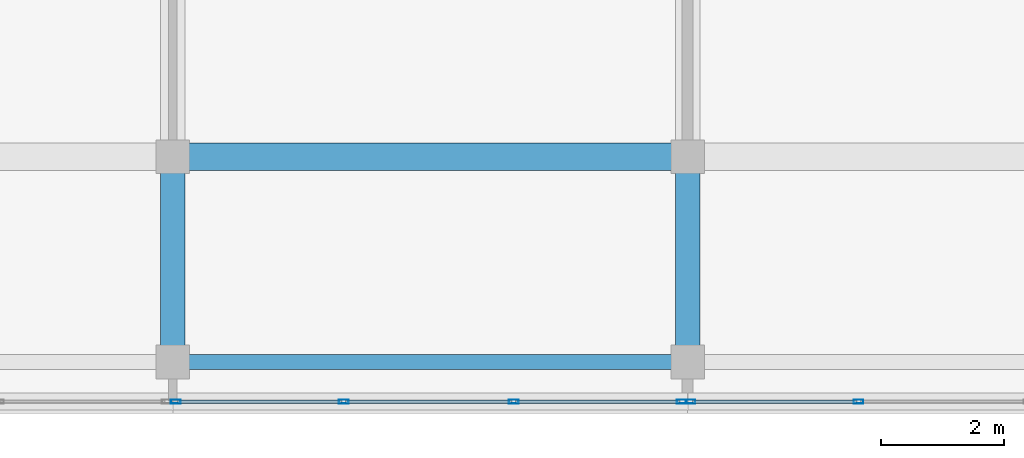
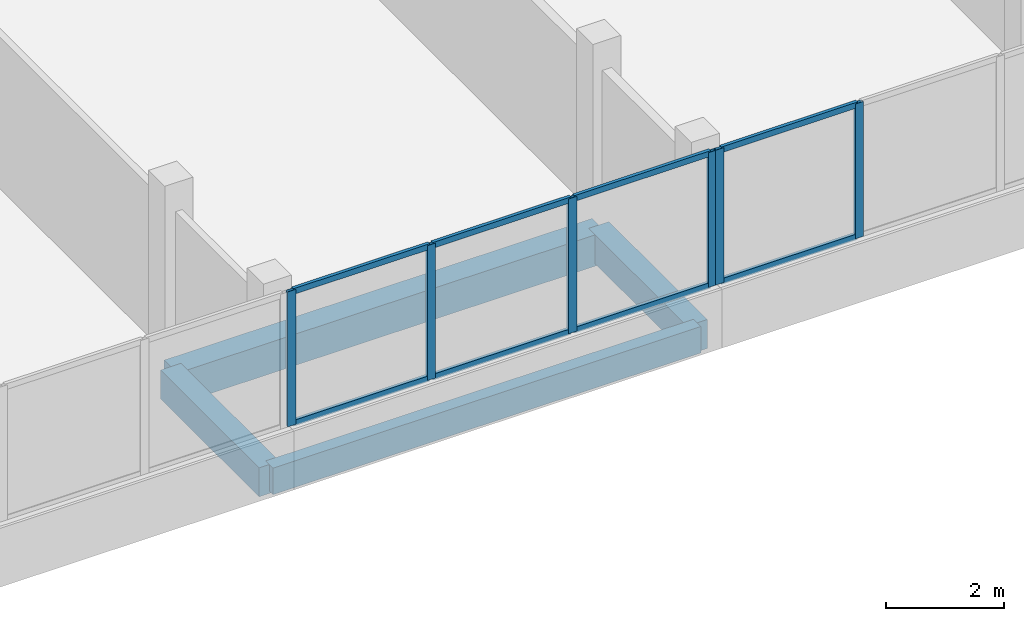
# One storey, part 31 of 67: 14 members, 4 beams, 2 elements without a shape of their own.
"""IFC4 building model written with IfcOpenShell, lengths in metres."""

import ifcopenshell
import ifcopenshell.guid

model = None  # the IFC model being written
_history = None  # IfcOwnerHistory: only IFC2X3 demands one
_inside = {}  # id of a spatial element -> (the spatial element, [elements in it])
_under = {}  # id of a project, library or spatial element -> (it, [spatial elements below it])
_declared = {}  # id of a project -> (the project, [libraries it declares])
_typed = {}  # id of a type object -> (the type object, [elements of that type])
_made_of = {}  # id of a material, layer set ... -> (it, [elements and type objects made of it])


def new_model(schema):
    """Start an empty IFC model of exactly this schema.

    Asked for "IFC4X3", IfcOpenShell would pick the latest addendum, in which some entities
    have other attributes; the version numbers below select the first issue.
    IFC2X3 requires an IfcOwnerHistory on every rooted entity: one is made here for all.
    """
    global model, _history
    if schema == "IFC4X3":
        model = ifcopenshell.file(schema_version=(4, 3, 0, 0))
    else:
        model = ifcopenshell.file(schema=schema)
    _inside.clear()
    _under.clear()
    _declared.clear()
    _typed.clear()
    _made_of.clear()
    _history = None
    if model.schema == "IFC2X3":
        org = make("IfcOrganization", Name="unknown")
        user = make(
            "IfcPersonAndOrganization",
            ThePerson=make("IfcPerson", FamilyName="unknown"),
            TheOrganization=org,
        )
        app = make(
            "IfcApplication",
            ApplicationDeveloper=org,
            Version="unknown",
            ApplicationFullName="unknown",
            ApplicationIdentifier="unknown",
        )
        _history = make(
            "IfcOwnerHistory",
            OwningUser=user,
            OwningApplication=app,
            ChangeAction="ADDED",
            CreationDate=0,
        )
    return model


def make(cls, **values):
    """One entity of the class cls with the attributes given. An attribute that is None is left unset."""
    return model.create_entity(
        cls, **{name: value for name, value in values.items() if value is not None}
    )


def rooted(cls, **values):
    """An entity with a GlobalId (a new one), such as an element, a storey or a relation."""
    return make(cls, GlobalId=ifcopenshell.guid.new(), OwnerHistory=_history, **values)


def si_unit(unit_type, name, prefix=None):
    """IfcSIUnit, for example si_unit("LENGTHUNIT", "METRE", prefix="MILLI")."""
    return make("IfcSIUnit", UnitType=unit_type, Prefix=prefix, Name=name)


def assignment(units):
    """IfcUnitAssignment: the units of a project."""
    return None if units is None else make("IfcUnitAssignment", Units=units)


def point(xyz):
    """IfcCartesianPoint."""
    return None if xyz is None else make("IfcCartesianPoint", Coordinates=xyz)


def direction(xyz):
    """IfcDirection."""
    return None if xyz is None else make("IfcDirection", DirectionRatios=xyz)


def frame(location, z_axis=None, x_axis=None):
    """IfcAxis2Placement3D, a coordinate frame: its origin and axes. An axis left out is left unset."""
    return make(
        "IfcAxis2Placement3D",
        Location=point(location),
        Axis=direction(z_axis),
        RefDirection=direction(x_axis),
    )


def frame_2d(location, x_axis=None):
    """IfcAxis2Placement2D, a coordinate frame in the plane: its origin and x axis."""
    return make(
        "IfcAxis2Placement2D", Location=point(location), RefDirection=direction(x_axis)
    )


def origin():
    """The frame at (0, 0, 0) with its axes left unset."""
    return frame((0.0, 0.0, 0.0))


def origin_2d():
    """The frame at (0, 0) in the plane with its x axis left unset."""
    return frame_2d((0.0, 0.0))


def place(relative_to, where):
    """IfcLocalPlacement: puts the frame where relative to a parent placement (None: the world)."""
    return make(
        "IfcLocalPlacement", PlacementRelTo=relative_to, RelativePlacement=where
    )


def context(
    kind, dimensions, precision=None, world=None, true_north=None, identifier=None
):
    """IfcGeometricRepresentationContext, for example the 3D "Model" context."""
    return make(
        "IfcGeometricRepresentationContext",
        ContextIdentifier=identifier,
        ContextType=kind,
        CoordinateSpaceDimension=dimensions,
        Precision=precision,
        WorldCoordinateSystem=world,
        TrueNorth=true_north,
    )


def subcontext(parent, identifier, kind, view, scale=None):
    """IfcGeometricRepresentationSubContext, for example "Body" below "Model"."""
    return make(
        "IfcGeometricRepresentationSubContext",
        ContextIdentifier=identifier,
        ContextType=kind,
        ParentContext=parent,
        TargetScale=scale,
        TargetView=view,
    )


def project(units=None, contexts=None):
    """IfcProject with its units and contexts."""
    return rooted(
        "IfcProject",
        Name="project",
        RepresentationContexts=contexts,
        UnitsInContext=assignment(units),
    )


def spatial(cls, under=None, at=None, **own):
    """A site, building, storey or space (cls), placed at a placement, below another one or the project."""
    s = rooted(cls, ObjectPlacement=at, **own)
    if under is not None:
        _under.setdefault(under.id(), (under, []))[1].append(s)
    return s


def profile(cls, at=None, kind="AREA", **sizes):
    """A parametric profile (cls). Its sizes go by their IFC names, for example OverallWidth=200.0."""
    return make(cls, ProfileType=kind, Position=at, **sizes)


def rectangle(**sizes):
    """IfcRectangleProfileDef."""
    return profile("IfcRectangleProfileDef", **sizes)


def hollow_rectangle(**sizes):
    """IfcRectangleHollowProfileDef."""
    return profile("IfcRectangleHollowProfileDef", **sizes)


def extrude(swept, where, along, depth):
    """IfcExtrudedAreaSolid: the profile swept, set in the frame where, extruded along a direction by depth."""
    return make(
        "IfcExtrudedAreaSolid",
        SweptArea=swept,
        Position=where,
        ExtrudedDirection=direction(along),
        Depth=depth,
    )


def shape(context_of_items, identifier, shape_type, items):
    """IfcShapeRepresentation: the items that make up one representation, for example the "Body"."""
    return make(
        "IfcShapeRepresentation",
        ContextOfItems=context_of_items,
        RepresentationIdentifier=identifier,
        RepresentationType=shape_type,
        Items=items,
    )


def material(Name=None, Category=None):
    """IfcMaterial."""
    return make("IfcMaterial", Name=Name, Category=Category)


def material_profile(
    of_material, cross_section, Name=None, Category=None, Priority=None
):
    """IfcMaterialProfile: a cross section and its material."""
    return make(
        "IfcMaterialProfile",
        Name=Name,
        Material=of_material,
        Profile=cross_section,
        Priority=Priority,
        Category=Category,
    )


def profile_set(profiles, Name=None, composite=None):
    """IfcMaterialProfileSet."""
    return make(
        "IfcMaterialProfileSet",
        Name=Name,
        MaterialProfiles=profiles,
        CompositeProfile=composite,
    )


def made_of(thing, what):
    """Note that an element or type object is made of a material, layer set ...; save() writes the relation."""
    if what is not None:
        _made_of.setdefault(what.id(), (what, []))[1].append(thing)
    return thing


def type_object(cls, material=None, **own):
    """A type object (cls), such as IfcWallType, which elements share."""
    return made_of(rooted(cls, **own), material)


def element(
    cls,
    number,
    at=None,
    inside=None,
    cuts=None,
    type_object=None,
    material=None,
    context=None,
    identifier="Body",
    shape_type=None,
    held_by="IfcProductDefinitionShape",
    body=None,
    shapes=None,
    **own,
):
    """One element of the class cls, such as IfcWall. Its Tag is "e" and its number.

    at: its placement. inside: the storey or other place that contains it. cuts: it is an
    opening in that element (IfcRelVoidsElement). A single representation is given by context,
    identifier, shape_type and body (its items); several are given by shapes. held_by: the class
    of the entity that holds the representations. save() writes the other relations.
    """
    e = rooted(cls, Tag="e%d" % number, ObjectPlacement=at, **own)
    if body is not None:
        shapes = [shape(context, identifier, shape_type, body)]
    if shapes is not None:
        e.Representation = make(held_by, Representations=shapes)
    if inside is not None:
        _inside.setdefault(inside.id(), (inside, []))[1].append(e)
    if cuts is not None:
        rooted(
            "IfcRelVoidsElement", RelatingBuildingElement=cuts, RelatedOpeningElement=e
        )
    if type_object is not None:
        _typed.setdefault(type_object.id(), (type_object, []))[1].append(e)
    return made_of(e, material)


def aggregate(whole, parts):
    """IfcRelAggregates: a whole, such as a stair, and the parts it consists of."""
    return rooted("IfcRelAggregates", RelatingObject=whole, RelatedObjects=parts)


def save(model, path):
    """Write the relations noted so far, then the file.

    IfcRelAggregates (storeys below a building ...), IfcRelContainedInSpatialStructure (elements
    in a storey), IfcRelDefinesByType, IfcRelAssociatesMaterial and IfcRelDeclares: one each for
    every whole, place, type object, material and project.
    """
    for whole, parts in _under.values():
        aggregate(whole, parts)
    for where, things in _inside.values():
        rooted(
            "IfcRelContainedInSpatialStructure",
            RelatedElements=things,
            RelatingStructure=where,
        )
    for kind, things in _typed.values():
        rooted("IfcRelDefinesByType", RelatedObjects=things, RelatingType=kind)
    for what, things in _made_of.values():
        rooted("IfcRelAssociatesMaterial", RelatedObjects=things, RelatingMaterial=what)
    for by, libraries in _declared.values():
        rooted("IfcRelDeclares", RelatingContext=by, RelatedDefinitions=libraries)
    model.write(path)


model = new_model("IFC4")

# Units and contexts
model_context = context("Model", 3, precision=1e-05, world=origin(), true_north=direction((0.0, 1.0)))
body_context = subcontext(model_context, "Body", "Model", "MODEL_VIEW")
ifc_project = project(units=[si_unit("LENGTHUNIT", "METRE"), si_unit("AREAUNIT", "SQUARE_METRE"), si_unit("VOLUMEUNIT", "CUBIC_METRE"), si_unit("PLANEANGLEUNIT", "RADIAN"), si_unit("MASSUNIT", "GRAM", prefix="KILO")], contexts=[model_context])

# Site, building, storey
site_placement = place(None, origin())
site = spatial("IfcSite", under=ifc_project, at=site_placement, CompositionType="ELEMENT")
building_placement = place(site_placement, origin())
building = spatial("IfcBuilding", under=site, at=building_placement, Name="Selatvlak General Hospital", CompositionType="ELEMENT")
storey_placement = place(building_placement, frame((0.0, 0.0, 35.39990234375)))
storey = spatial("IfcBuildingStorey", under=building, at=storey_placement, Name="L08", CompositionType="ELEMENT", Elevation=35.39990234375)

# Beams
ifc_material_1 = material(Name="Concrete C40/50", Category="concrete")
ifc_material_profile_1 = material_profile(ifc_material_1, rectangle(XDim=0.449951171875, YDim=0.64990234375, at=origin_2d()), Name="RC-BM 450x650")
ifc_profile_set_1 = profile_set([ifc_material_profile_1], Name="Concrete C40/50")
beam_type_1 = type_object("IfcBeamType", Name="BM-G04", PredefinedType="BEAM", material=ifc_profile_set_1)
beam_1_placement = place(storey_placement, frame((106.800048828125, 92.0, -0.58984375), z_axis=(1.0, 0.0, 0.0), x_axis=(0.0, 1.0, 0.0)))
element("IfcBeam", 1, at=beam_1_placement, inside=storey, type_object=beam_type_1, Name="Beam BMR-L08-2578", PredefinedType="BEAM", context=body_context, shape_type="SweptSolid", body=[
    extrude(rectangle(XDim=0.449951171875, YDim=0.64990234375, at=origin_2d()), origin(), (0.0, 0.0, 1.0), 8.39990234375),
])
ifc_material_profile_2 = material_profile(ifc_material_1, rectangle(XDim=0.39990234375, YDim=0.60009765625, at=origin_2d()), Name="RC-BM 400x600")
ifc_profile_set_2 = profile_set([ifc_material_profile_2], Name="Concrete C40/50")
beam_type_2 = type_object("IfcBeamType", Name="BM-G05", PredefinedType="BEAM", material=ifc_profile_set_2)
for number, where, z_axis, x_axis, name in (
    (2, (106.800048828125, 88.64990234375, -0.56494140625), (0.0, 1.0, 0.0), (-1.0, 0.0, 0.0), "Beam BMR-L08-2682"),
    (3, (115.199951171875, 88.64990234375, -0.56494140625), (0.0, 1.0, 0.0), (-1.0, 0.0, 0.0), "Beam BMR-L08-2685"),
):
    element("IfcBeam", number, at=place(storey_placement, frame(where, z_axis=z_axis, x_axis=x_axis)), inside=storey, type_object=beam_type_2, Name=name, PredefinedType="BEAM", context=body_context, shape_type="SweptSolid", body=[
        extrude(rectangle(XDim=0.39990234375, YDim=0.60009765625, at=origin_2d()), origin(), (0.0, 0.0, 1.0), 3.35009765625),
    ])
ifc_material_profile_3 = material_profile(ifc_material_1, rectangle(XDim=0.25, YDim=0.550048828125, at=origin_2d()), Name="RC-SP 250x550")
ifc_profile_set_3 = profile_set([ifc_material_profile_3], Name="Concrete C40/50")
beam_type_3 = type_object("IfcBeamType", Name="BM-SP2", PredefinedType="SPANDREL", material=ifc_profile_set_3)
beam_2_placement = place(storey_placement, frame((106.800048828125, 88.64990234375, -0.539794921875), z_axis=(1.0, 0.0, 0.0), x_axis=(0.0, 1.0, 0.0)))
element("IfcBeam", 4, at=beam_2_placement, inside=storey, type_object=beam_type_3, Name="Beam BMR-L08-2561", PredefinedType="SPANDREL", context=body_context, shape_type="SweptSolid", body=[
    extrude(rectangle(XDim=0.25, YDim=0.550048828125, at=origin_2d()), origin(), (0.0, 0.0, 1.0), 8.39990234375),
])

# Curtain wall, members
ifc_material_2 = material(Name="Solar-control Low-E double glazing", Category="glass")
curtain_wall_type_1 = type_object("IfcCurtainWallType", Name="CW-CW-02", PredefinedType="USERDEFINED", material=ifc_material_2)
curtain_wall_1_placement = place(storey_placement, origin())
curtain_wall_1 = element("IfcCurtainWall", 5, at=curtain_wall_1_placement, inside=storey, type_object=curtain_wall_type_1, Name="Glazed facade curtain wall CW-L08-0705", ObjectType="UNITISED CURTAIN WALL", PredefinedType="USERDEFINED")
ifc_material_3 = material(Name="Dark anodised aluminium mullion", Category="aluminium")
ifc_material_profile_4 = material_profile(ifc_material_3, hollow_rectangle(XDim=0.06494140625, YDim=0.159912109375, WallThickness=0.00390625, at=origin_2d()), Name="AL-MUL 65x160x4")
ifc_profile_set_4 = profile_set([ifc_material_profile_4], Name="Dark anodised aluminium mullion")
member_type_1 = type_object("IfcMemberType", Name="CWM-01", PredefinedType="MULLION", material=ifc_profile_set_4)
member_1_placement = place(storey_placement, frame((117.98828125, 88.0009765625, 0.940185546875), z_axis=(0.0, 0.0, 1.0), x_axis=(0.0, -1.0, 0.0)))
member_1 = element("IfcMember", 6, at=member_1_placement, type_object=member_type_1, Name="CW-02 mullion 3", PredefinedType="MULLION", context=body_context, shape_type="SweptSolid", body=[
    extrude(hollow_rectangle(XDim=0.06494140625, YDim=0.159912109375, WallThickness=0.00390625, at=origin_2d()), origin(), (0.0, 0.0, 1.0), 2.7998046875),
])
member_2_placement = place(storey_placement, frame((115.24755859375, 88.0009765625, 0.940185546875), z_axis=(0.0, 0.0, 1.0), x_axis=(0.0, -1.0, 0.0)))
member_2 = element("IfcMember", 7, at=member_2_placement, type_object=member_type_1, Name="CW-02 mullion 4", PredefinedType="MULLION", context=body_context, shape_type="SweptSolid", body=[
    extrude(hollow_rectangle(XDim=0.06494140625, YDim=0.159912109375, WallThickness=0.00390625, at=origin_2d()), origin(), (0.0, 0.0, 1.0), 2.7998046875),
])

curtain_wall_type_2 = type_object("IfcCurtainWallType", Name="CW-CW-01", PredefinedType="USERDEFINED", material=ifc_material_2)
curtain_wall_2_placement = place(storey_placement, origin())
curtain_wall_2 = element("IfcCurtainWall", 8, at=curtain_wall_2_placement, inside=storey, type_object=curtain_wall_type_2, Name="Glazed facade curtain wall CW-L08-0706", ObjectType="UNITISED CURTAIN WALL", PredefinedType="USERDEFINED")
member_3_placement = place(storey_placement, frame((115.1025390625, 88.0009765625, 0.940185546875), z_axis=(0.0, 0.0, 1.0), x_axis=(0.0, -1.0, 0.0)))
member_3 = element("IfcMember", 9, at=member_3_placement, type_object=member_type_1, Name="CW-01 mullion 1", PredefinedType="MULLION", context=body_context, shape_type="SweptSolid", body=[
    extrude(hollow_rectangle(XDim=0.06494140625, YDim=0.159912109375, WallThickness=0.00390625, at=origin_2d()), origin(), (0.0, 0.0, 1.0), 2.7998046875),
])
member_4_placement = place(storey_placement, frame((112.361572265625, 88.0009765625, 0.940185546875), z_axis=(0.0, 0.0, 1.0), x_axis=(0.0, -1.0, 0.0)))
member_4 = element("IfcMember", 10, at=member_4_placement, type_object=member_type_1, Name="CW-01 mullion 2", PredefinedType="MULLION", context=body_context, shape_type="SweptSolid", body=[
    extrude(hollow_rectangle(XDim=0.06494140625, YDim=0.159912109375, WallThickness=0.00390625, at=origin_2d()), origin(), (0.0, 0.0, 1.0), 2.7998046875),
])
member_5_placement = place(storey_placement, frame((109.58837890625, 88.0009765625, 0.940185546875), z_axis=(0.0, 0.0, 1.0), x_axis=(0.0, -1.0, 0.0)))
member_5 = element("IfcMember", 11, at=member_5_placement, type_object=member_type_1, Name="CW-01 mullion 3", PredefinedType="MULLION", context=body_context, shape_type="SweptSolid", body=[
    extrude(hollow_rectangle(XDim=0.06494140625, YDim=0.159912109375, WallThickness=0.00390625, at=origin_2d()), origin(), (0.0, 0.0, 1.0), 2.7998046875),
])
member_6_placement = place(storey_placement, frame((106.847412109375, 88.0009765625, 0.940185546875), z_axis=(0.0, 0.0, 1.0), x_axis=(0.0, -1.0, 0.0)))
member_6 = element("IfcMember", 12, at=member_6_placement, type_object=member_type_1, Name="CW-01 mullion 4", PredefinedType="MULLION", context=body_context, shape_type="SweptSolid", body=[
    extrude(hollow_rectangle(XDim=0.06494140625, YDim=0.159912109375, WallThickness=0.00390625, at=origin_2d()), origin(), (0.0, 0.0, 1.0), 2.7998046875),
])

# Member
ifc_material_profile_5 = material_profile(ifc_material_3, hollow_rectangle(XDim=0.06494140625, YDim=0.1201171875, WallThickness=0.00390625, at=origin_2d()), Name="AL-TRN 65x120x4")
ifc_profile_set_5 = profile_set([ifc_material_profile_5], Name="Dark anodised aluminium mullion")
member_type_2 = type_object("IfcMemberType", Name="CWT-01", PredefinedType="USERDEFINED", material=ifc_profile_set_5)
member_7_placement = place(storey_placement, frame((117.955810546875, 88.0009765625, 0.97265625), z_axis=(-1.0, 0.0, 0.0), x_axis=(0.0, -1.0, 0.0)))
member_7 = element("IfcMember", 13, at=member_7_placement, type_object=member_type_2, Name="CW-02 transom 3.1", ObjectType="TRANSOM", PredefinedType="USERDEFINED", context=body_context, shape_type="SweptSolid", body=[
    extrude(hollow_rectangle(XDim=0.06494140625, YDim=0.1201171875, WallThickness=0.00390625, at=origin_2d()), origin(), (0.0, 0.0, 1.0), 2.67578125),
])

member_8_placement = place(storey_placement, frame((117.955810546875, 88.0009765625, 3.70751953125), z_axis=(-1.0, 0.0, 0.0), x_axis=(0.0, -1.0, 0.0)))
member_8 = element("IfcMember", 14, at=member_8_placement, type_object=member_type_2, Name="CW-02 transom 3.2", ObjectType="TRANSOM", PredefinedType="USERDEFINED", context=body_context, shape_type="SweptSolid", body=[
    extrude(hollow_rectangle(XDim=0.06494140625, YDim=0.1201171875, WallThickness=0.00390625, at=origin_2d()), origin(), (0.0, 0.0, 1.0), 2.67578125),
])

aggregate(curtain_wall_1, [member_1, member_2, member_7, member_8])

member_9_placement = place(storey_placement, frame((115.070068359375, 88.0009765625, 0.97265625), z_axis=(-1.0, 0.0, 0.0), x_axis=(0.0, -1.0, 0.0)))
member_9 = element("IfcMember", 15, at=member_9_placement, type_object=member_type_2, Name="CW-01 transom 1.1", ObjectType="TRANSOM", PredefinedType="USERDEFINED", context=body_context, shape_type="SweptSolid", body=[
    extrude(hollow_rectangle(XDim=0.06494140625, YDim=0.1201171875, WallThickness=0.00390625, at=origin_2d()), origin(), (0.0, 0.0, 1.0), 2.67578125),
])

member_10_placement = place(storey_placement, frame((115.070068359375, 88.0009765625, 3.70751953125), z_axis=(-1.0, 0.0, 0.0), x_axis=(0.0, -1.0, 0.0)))
member_10 = element("IfcMember", 16, at=member_10_placement, type_object=member_type_2, Name="CW-01 transom 1.2", ObjectType="TRANSOM", PredefinedType="USERDEFINED", context=body_context, shape_type="SweptSolid", body=[
    extrude(hollow_rectangle(XDim=0.06494140625, YDim=0.1201171875, WallThickness=0.00390625, at=origin_2d()), origin(), (0.0, 0.0, 1.0), 2.67578125),
])

member_11_placement = place(storey_placement, frame((112.3291015625, 88.0009765625, 0.97265625), z_axis=(-1.0, 0.0, 0.0), x_axis=(0.0, -1.0, 0.0)))
member_11 = element("IfcMember", 17, at=member_11_placement, type_object=member_type_2, Name="CW-01 transom 2.1", ObjectType="TRANSOM", PredefinedType="USERDEFINED", context=body_context, shape_type="SweptSolid", body=[
    extrude(hollow_rectangle(XDim=0.06494140625, YDim=0.1201171875, WallThickness=0.00390625, at=origin_2d()), origin(), (0.0, 0.0, 1.0), 2.708251953125),
])

member_12_placement = place(storey_placement, frame((112.3291015625, 88.0009765625, 3.70751953125), z_axis=(-1.0, 0.0, 0.0), x_axis=(0.0, -1.0, 0.0)))
member_12 = element("IfcMember", 18, at=member_12_placement, type_object=member_type_2, Name="CW-01 transom 2.2", ObjectType="TRANSOM", PredefinedType="USERDEFINED", context=body_context, shape_type="SweptSolid", body=[
    extrude(hollow_rectangle(XDim=0.06494140625, YDim=0.1201171875, WallThickness=0.00390625, at=origin_2d()), origin(), (0.0, 0.0, 1.0), 2.708251953125),
])

member_13_placement = place(storey_placement, frame((109.555908203125, 88.0009765625, 0.97265625), z_axis=(-1.0, 0.0, 0.0), x_axis=(0.0, -1.0, 0.0)))
member_13 = element("IfcMember", 19, at=member_13_placement, type_object=member_type_2, Name="CW-01 transom 3.1", ObjectType="TRANSOM", PredefinedType="USERDEFINED", context=body_context, shape_type="SweptSolid", body=[
    extrude(hollow_rectangle(XDim=0.06494140625, YDim=0.1201171875, WallThickness=0.00390625, at=origin_2d()), origin(), (0.0, 0.0, 1.0), 2.676025390625),
])

member_14_placement = place(storey_placement, frame((109.555908203125, 88.0009765625, 3.70751953125), z_axis=(-1.0, 0.0, 0.0), x_axis=(0.0, -1.0, 0.0)))
member_14 = element("IfcMember", 20, at=member_14_placement, type_object=member_type_2, Name="CW-01 transom 3.2", ObjectType="TRANSOM", PredefinedType="USERDEFINED", context=body_context, shape_type="SweptSolid", body=[
    extrude(hollow_rectangle(XDim=0.06494140625, YDim=0.1201171875, WallThickness=0.00390625, at=origin_2d()), origin(), (0.0, 0.0, 1.0), 2.676025390625),
])

aggregate(curtain_wall_2, [member_3, member_4, member_5, member_6, member_9, member_10, member_11, member_12, member_13, member_14])

save(model, "model.ifc")
